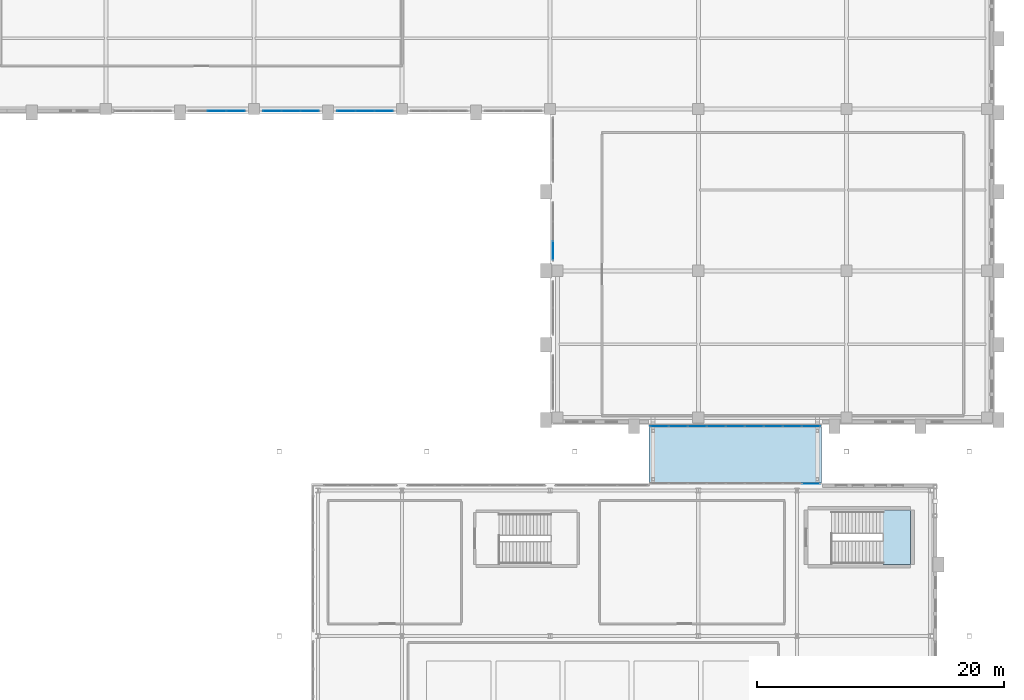
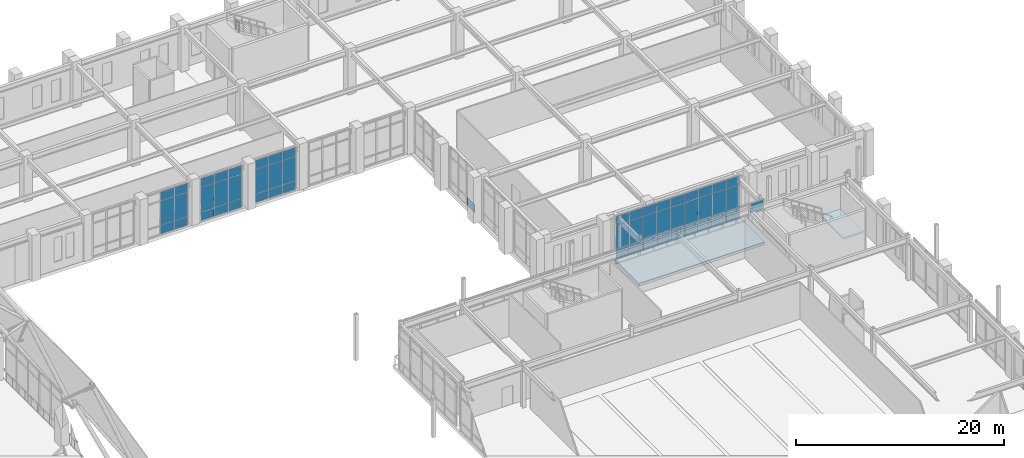
# One storey, part 117 of 159: 53 plates, 2 slabs, 7 elements without a shape of their own.
"""IFC4 building model written with IfcOpenShell, lengths in metres."""

from ifc_helpers import new_model, si_unit, derived_unit, direction, frame, origin, origin_2d, place, context, subcontext, project, spatial, polyline, rectangle, outline, extrude, material, layer, layer_set, type_object, element, aggregate, save


model = new_model("IFC4")

# Units and contexts
model_context = context("Model", 3, precision=1e-05, world=origin(), true_north=direction((0.0, 1.0)))
body_context = subcontext(model_context, "Body", "Model", "MODEL_VIEW")
ifc_project = project(units=[si_unit("LENGTHUNIT", "METRE"), si_unit("AREAUNIT", "SQUARE_METRE"), si_unit("VOLUMEUNIT", "CUBIC_METRE"), si_unit("PLANEANGLEUNIT", "RADIAN"), si_unit("MASSUNIT", "GRAM", prefix="KILO"), derived_unit("THERMALTRANSMITTANCEUNIT", [(si_unit("MASSUNIT", "GRAM", prefix="KILO"), 1), (si_unit("TIMEUNIT", "SECOND"), -3), (si_unit("THERMODYNAMICTEMPERATUREUNIT", "KELVIN"), -1)])], contexts=[model_context])

# Site, building, storey
site_placement = place(None, origin())
site = spatial("IfcSite", under=ifc_project, at=site_placement, CompositionType="ELEMENT")
building_placement = place(site_placement, origin())
building = spatial("IfcBuilding", under=site, at=building_placement, Name="Valcora Ridge Arena", CompositionType="ELEMENT")
storey_placement = place(building_placement, frame((0.0, 0.0, 6.0)))
storey = spatial("IfcBuildingStorey", under=building, at=storey_placement, Name="L01", CompositionType="ELEMENT", Elevation=6.0)

# Stair, slab
ifc_material_1 = material(Name="Concrete C40/50", Category="concrete")
stair_type = type_object("IfcStairType", Name="TY-STAIR-ST12-54", PredefinedType="HALF_TURN_STAIR", material=ifc_material_1)
stair_placement = place(storey_placement, origin())
stair = element("IfcStair", 1, at=stair_placement, inside=storey, type_object=stair_type, Name="ST12-54 STR-CR-0048", PredefinedType="HALF_TURN_STAIR")
ifc_layer_1 = layer(ifc_material_1, 0.199951171875, Name="Concrete C40/50")
ifc_layer_set_1 = layer_set([ifc_layer_1], Name="Concrete C40/50")
slab_type_1 = type_object("IfcSlabType", Name="TY-LAND-ST12-54", PredefinedType="LANDING", material=ifc_layer_set_1)
slab_1_placement = place(storey_placement, frame((0.0, 0.0, 2.5)))
slab_1 = element("IfcSlab", 2, at=slab_1_placement, type_object=slab_type_1, Name="ST12-54 landing 1", PredefinedType="LANDING", context=body_context, shape_type="SweptSolid", body=[
    extrude(outline(polyline([(182.969970703125, 71.802001953125), (185.197998046875, 71.802001953125), (185.197998046875, 76.197998046875), (182.969970703125, 76.197998046875), (182.969970703125, 71.802001953125)])), origin(), (0.0, 0.0, 1.0), 0.199951171875),
])
aggregate(stair, [slab_1])

# Curtain wall, plates
ifc_material_2 = material(Name="Anodised dark bronze architectural aluminium 6063-T6", Category="aluminium")
ifc_layer_2 = layer(ifc_material_2, 0.14990234375, Name="Anodised dark bronze architectural aluminium 6063-T6")
ifc_layer_set_2 = layer_set([ifc_layer_2], Name="Anodised dark bronze architectural aluminium 6063-T6")
curtain_wall_type_1 = type_object("IfcCurtainWallType", Name="TY-CURTAINWALL-CW-BRG-138X51", PredefinedType="NOTDEFINED", material=ifc_layer_set_2)
curtain_wall_1_placement = place(storey_placement, origin())
curtain_wall_1 = element("IfcCurtainWall", 3, at=curtain_wall_1_placement, inside=storey, type_object=curtain_wall_type_1, Name="CW-BRG-138X51 CW-0357", PredefinedType="NOTDEFINED")
ifc_material_3 = material(Name="Low-iron solar-control double glazing SHGC 0.28", Category="glass")
ifc_layer_3 = layer(ifc_material_3, 0.028076171875, Name="Low-iron solar-control double glazing SHGC 0.28")
ifc_layer_set_3 = layer_set([ifc_layer_3], Name="Low-iron solar-control double glazing SHGC 0.28")
plate_type_1 = type_object("IfcPlateType", Name="TY-PLT-CWP-1463X0975", PredefinedType="CURTAIN_PANEL", material=ifc_layer_set_3)
plate_1_placement = place(storey_placement, frame((164.861572265625, 83.0, 0.050048828125), z_axis=(0.0, 0.0, 1.0), x_axis=(1.0, 0.0, 0.0)))
plate_1 = element("IfcPlate", 4, at=plate_1_placement, type_object=plate_type_1, Name="CW-0357/P00-00", PredefinedType="CURTAIN_PANEL", context=body_context, shape_type="SweptSolid", body=[
    extrude(rectangle(XDim=1.462890625, YDim=0.028076171875, at=origin_2d()), origin(), (0.0, 0.0, 1.0), 0.97509765625),
])
plate_2_placement = place(storey_placement, frame((177.138427734375, 83.0, 0.050048828125), z_axis=(0.0, 0.0, 1.0), x_axis=(1.0, 0.0, 0.0)))
plate_2 = element("IfcPlate", 5, at=plate_2_placement, type_object=plate_type_1, Name="CW-0357/P08-00", PredefinedType="CURTAIN_PANEL", context=body_context, shape_type="SweptSolid", body=[
    extrude(rectangle(XDim=1.462890625, YDim=0.028076171875, at=origin_2d()), origin(), (0.0, 0.0, 1.0), 0.97509765625),
])

# Curtain wall, plate
curtain_wall_2_placement = place(storey_placement, origin())
curtain_wall_2 = element("IfcCurtainWall", 6, at=curtain_wall_2_placement, inside=storey, type_object=curtain_wall_type_1, Name="CW-BRG-138X51 CW-0356", PredefinedType="NOTDEFINED")
ifc_layer_4 = layer(ifc_material_3, 0.028076171875, Name="Low-iron solar-control double glazing SHGC 0.28")
ifc_layer_set_4 = layer_set([ifc_layer_4], Name="Low-iron solar-control double glazing SHGC 0.28")
plate_type_2 = type_object("IfcPlateType", Name="TY-PLT-CWP-1463X1025", PredefinedType="CURTAIN_PANEL", material=ifc_layer_set_4)
plate_3_placement = place(storey_placement, frame((177.138427734375, 78.35009765625, 4.005126953125), z_axis=(0.0, 0.0, 1.0), x_axis=(1.0, 0.0, 0.0)))
plate_3 = element("IfcPlate", 7, at=plate_3_placement, type_object=plate_type_2, Name="CW-0356/P08-02", PredefinedType="CURTAIN_PANEL", context=body_context, shape_type="SweptSolid", body=[
    extrude(rectangle(XDim=1.462890625, YDim=0.028076171875, at=origin_2d()), origin(), (0.0, 0.0, 1.0), 1.02490234375),
])
aggregate(curtain_wall_2, [plate_3])

# Plate
plate_4_placement = place(storey_placement, frame((164.861572265625, 83.0, 4.005126953125), z_axis=(0.0, 0.0, 1.0), x_axis=(1.0, 0.0, 0.0)))
plate_4 = element("IfcPlate", 8, at=plate_4_placement, type_object=plate_type_2, Name="CW-0357/P00-02", PredefinedType="CURTAIN_PANEL", context=body_context, shape_type="SweptSolid", body=[
    extrude(rectangle(XDim=1.462890625, YDim=0.028076171875, at=origin_2d()), origin(), (0.0, 0.0, 1.0), 1.02490234375),
])

plate_5_placement = place(storey_placement, frame((177.138427734375, 83.0, 4.005126953125), z_axis=(0.0, 0.0, 1.0), x_axis=(1.0, 0.0, 0.0)))
plate_5 = element("IfcPlate", 9, at=plate_5_placement, type_object=plate_type_2, Name="CW-0357/P08-02", PredefinedType="CURTAIN_PANEL", context=body_context, shape_type="SweptSolid", body=[
    extrude(rectangle(XDim=1.462890625, YDim=0.028076171875, at=origin_2d()), origin(), (0.0, 0.0, 1.0), 1.02490234375),
])

ifc_layer_5 = layer(ifc_material_3, 0.028076171875, Name="Low-iron solar-control double glazing SHGC 0.28")
ifc_layer_set_5 = layer_set([ifc_layer_5], Name="Low-iron solar-control double glazing SHGC 0.28")
plate_type_3 = type_object("IfcPlateType", Name="TY-PLT-CWP-1463X2880", PredefinedType="CURTAIN_PANEL", material=ifc_layer_set_5)
plate_6_placement = place(storey_placement, frame((164.861572265625, 83.0, 1.074951171875), z_axis=(0.0, 0.0, 1.0), x_axis=(1.0, 0.0, 0.0)))
plate_6 = element("IfcPlate", 10, at=plate_6_placement, type_object=plate_type_3, Name="CW-0357/P00-01", PredefinedType="CURTAIN_PANEL", context=body_context, shape_type="SweptSolid", body=[
    extrude(rectangle(XDim=1.462890625, YDim=0.028076171875, at=origin_2d()), origin(), (0.0, 0.0, 1.0), 2.8798828125),
])

plate_7_placement = place(storey_placement, frame((177.138427734375, 83.0, 1.074951171875), z_axis=(0.0, 0.0, 1.0), x_axis=(1.0, 0.0, 0.0)))
plate_7 = element("IfcPlate", 11, at=plate_7_placement, type_object=plate_type_3, Name="CW-0357/P08-01", PredefinedType="CURTAIN_PANEL", context=body_context, shape_type="SweptSolid", body=[
    extrude(rectangle(XDim=1.462890625, YDim=0.028076171875, at=origin_2d()), origin(), (0.0, 0.0, 1.0), 2.8798828125),
])

# Curtain wall, plate
ifc_layer_6 = layer(ifc_material_2, 0.14990234375, Name="Anodised dark bronze architectural aluminium 6063-T6")
ifc_layer_set_6 = layer_set([ifc_layer_6], Name="Anodised dark bronze architectural aluminium 6063-T6")
curtain_wall_type_2 = type_object("IfcCurtainWallType", Name="TY-CURTAINWALL-CW-V5-MED-046X50", PredefinedType="NOTDEFINED", material=ifc_layer_set_6)
curtain_wall_3_placement = place(storey_placement, origin())
curtain_wall_3 = element("IfcCurtainWall", 12, at=curtain_wall_3_placement, inside=storey, type_object=curtain_wall_type_2, Name="CW-V5-MED-046X50 CW-0317", PredefinedType="NOTDEFINED")
ifc_layer_7 = layer(ifc_material_3, 0.028076171875, Name="Low-iron solar-control double glazing SHGC 0.28")
ifc_layer_set_7 = layer_set([ifc_layer_7], Name="Low-iron solar-control double glazing SHGC 0.28")
plate_type_4 = type_object("IfcPlateType", Name="TY-PLT-CWP-1465X0975", PredefinedType="CURTAIN_PANEL", material=ifc_layer_set_7)
plate_8_placement = place(storey_placement, frame((130.527587890625, 108.550048828125, 0.050048828125), z_axis=(0.0, 0.0, 1.0), x_axis=(1.0, 0.0, 0.0)))
plate_8 = element("IfcPlate", 13, at=plate_8_placement, type_object=plate_type_4, Name="CW-0317/P02-00", PredefinedType="CURTAIN_PANEL", context=body_context, shape_type="SweptSolid", body=[
    extrude(rectangle(XDim=1.465087890625, YDim=0.028076171875, at=origin_2d()), origin(), (0.0, 0.0, 1.0), 0.97509765625),
])

# Curtain wall, plates
curtain_wall_4_placement = place(storey_placement, origin())
curtain_wall_4 = element("IfcCurtainWall", 14, at=curtain_wall_4_placement, inside=storey, type_object=curtain_wall_type_2, Name="CW-V5-MED-046X50 CW-0318", PredefinedType="NOTDEFINED")
plate_9_placement = place(storey_placement, frame((133.472412109375, 108.550048828125, 0.050048828125), z_axis=(0.0, 0.0, 1.0), x_axis=(1.0, 0.0, 0.0)))
plate_9 = element("IfcPlate", 15, at=plate_9_placement, type_object=plate_type_4, Name="CW-0318/P00-00", PredefinedType="CURTAIN_PANEL", context=body_context, shape_type="SweptSolid", body=[
    extrude(rectangle(XDim=1.465087890625, YDim=0.028076171875, at=origin_2d()), origin(), (0.0, 0.0, 1.0), 0.97509765625),
])
plate_10_placement = place(storey_placement, frame((136.527587890625, 108.550048828125, 0.050048828125), z_axis=(0.0, 0.0, 1.0), x_axis=(1.0, 0.0, 0.0)))
plate_10 = element("IfcPlate", 16, at=plate_10_placement, type_object=plate_type_4, Name="CW-0318/P02-00", PredefinedType="CURTAIN_PANEL", context=body_context, shape_type="SweptSolid", body=[
    extrude(rectangle(XDim=1.465087890625, YDim=0.028076171875, at=origin_2d()), origin(), (0.0, 0.0, 1.0), 0.97509765625),
])

curtain_wall_5_placement = place(storey_placement, origin())
curtain_wall_5 = element("IfcCurtainWall", 17, at=curtain_wall_5_placement, inside=storey, type_object=curtain_wall_type_2, Name="CW-V5-MED-046X50 CW-0319", PredefinedType="NOTDEFINED")
plate_11_placement = place(storey_placement, frame((139.472412109375, 108.550048828125, 0.050048828125), z_axis=(0.0, 0.0, 1.0), x_axis=(1.0, 0.0, 0.0)))
plate_11 = element("IfcPlate", 18, at=plate_11_placement, type_object=plate_type_4, Name="CW-0319/P00-00", PredefinedType="CURTAIN_PANEL", context=body_context, shape_type="SweptSolid", body=[
    extrude(rectangle(XDim=1.465087890625, YDim=0.028076171875, at=origin_2d()), origin(), (0.0, 0.0, 1.0), 0.97509765625),
])
plate_12_placement = place(storey_placement, frame((142.527587890625, 108.550048828125, 0.050048828125), z_axis=(0.0, 0.0, 1.0), x_axis=(1.0, 0.0, 0.0)))
plate_12 = element("IfcPlate", 19, at=plate_12_placement, type_object=plate_type_4, Name="CW-0319/P02-00", PredefinedType="CURTAIN_PANEL", context=body_context, shape_type="SweptSolid", body=[
    extrude(rectangle(XDim=1.465087890625, YDim=0.028076171875, at=origin_2d()), origin(), (0.0, 0.0, 1.0), 0.97509765625),
])

# Plate
ifc_layer_8 = layer(ifc_material_3, 0.028076171875, Name="Low-iron solar-control double glazing SHGC 0.28")
ifc_layer_set_8 = layer_set([ifc_layer_8], Name="Low-iron solar-control double glazing SHGC 0.28")
plate_type_5 = type_object("IfcPlateType", Name="TY-PLT-CWP-1465X1025", PredefinedType="CURTAIN_PANEL", material=ifc_layer_set_8)
plate_13_placement = place(storey_placement, frame((130.527587890625, 108.550048828125, 3.965087890625), z_axis=(0.0, 0.0, 1.0), x_axis=(1.0, 0.0, 0.0)))
plate_13 = element("IfcPlate", 20, at=plate_13_placement, type_object=plate_type_5, Name="CW-0317/P02-02", PredefinedType="CURTAIN_PANEL", context=body_context, shape_type="SweptSolid", body=[
    extrude(rectangle(XDim=1.465087890625, YDim=0.028076171875, at=origin_2d()), origin(), (0.0, 0.0, 1.0), 1.02490234375),
])

plate_14_placement = place(storey_placement, frame((133.472412109375, 108.550048828125, 3.965087890625), z_axis=(0.0, 0.0, 1.0), x_axis=(1.0, 0.0, 0.0)))
plate_14 = element("IfcPlate", 21, at=plate_14_placement, type_object=plate_type_5, Name="CW-0318/P00-02", PredefinedType="CURTAIN_PANEL", context=body_context, shape_type="SweptSolid", body=[
    extrude(rectangle(XDim=1.465087890625, YDim=0.028076171875, at=origin_2d()), origin(), (0.0, 0.0, 1.0), 1.02490234375),
])

plate_15_placement = place(storey_placement, frame((136.527587890625, 108.550048828125, 3.965087890625), z_axis=(0.0, 0.0, 1.0), x_axis=(1.0, 0.0, 0.0)))
plate_15 = element("IfcPlate", 22, at=plate_15_placement, type_object=plate_type_5, Name="CW-0318/P02-02", PredefinedType="CURTAIN_PANEL", context=body_context, shape_type="SweptSolid", body=[
    extrude(rectangle(XDim=1.465087890625, YDim=0.028076171875, at=origin_2d()), origin(), (0.0, 0.0, 1.0), 1.02490234375),
])

plate_16_placement = place(storey_placement, frame((139.472412109375, 108.550048828125, 3.965087890625), z_axis=(0.0, 0.0, 1.0), x_axis=(1.0, 0.0, 0.0)))
plate_16 = element("IfcPlate", 23, at=plate_16_placement, type_object=plate_type_5, Name="CW-0319/P00-02", PredefinedType="CURTAIN_PANEL", context=body_context, shape_type="SweptSolid", body=[
    extrude(rectangle(XDim=1.465087890625, YDim=0.028076171875, at=origin_2d()), origin(), (0.0, 0.0, 1.0), 1.02490234375),
])

plate_17_placement = place(storey_placement, frame((142.527587890625, 108.550048828125, 3.965087890625), z_axis=(0.0, 0.0, 1.0), x_axis=(1.0, 0.0, 0.0)))
plate_17 = element("IfcPlate", 24, at=plate_17_placement, type_object=plate_type_5, Name="CW-0319/P02-02", PredefinedType="CURTAIN_PANEL", context=body_context, shape_type="SweptSolid", body=[
    extrude(rectangle(XDim=1.465087890625, YDim=0.028076171875, at=origin_2d()), origin(), (0.0, 0.0, 1.0), 1.02490234375),
])

ifc_layer_9 = layer(ifc_material_3, 0.028076171875, Name="Low-iron solar-control double glazing SHGC 0.28")
ifc_layer_set_9 = layer_set([ifc_layer_9], Name="Low-iron solar-control double glazing SHGC 0.28")
plate_type_6 = type_object("IfcPlateType", Name="TY-PLT-CWP-1465X2840", PredefinedType="CURTAIN_PANEL", material=ifc_layer_set_9)
plate_18_placement = place(storey_placement, frame((130.527587890625, 108.550048828125, 1.0751953125), z_axis=(0.0, 0.0, 1.0), x_axis=(1.0, 0.0, 0.0)))
plate_18 = element("IfcPlate", 25, at=plate_18_placement, type_object=plate_type_6, Name="CW-0317/P02-01", PredefinedType="CURTAIN_PANEL", context=body_context, shape_type="SweptSolid", body=[
    extrude(rectangle(XDim=1.465087890625, YDim=0.028076171875, at=origin_2d()), origin(), (0.0, 0.0, 1.0), 2.840087890625),
])

plate_19_placement = place(storey_placement, frame((133.472412109375, 108.550048828125, 1.0751953125), z_axis=(0.0, 0.0, 1.0), x_axis=(1.0, 0.0, 0.0)))
plate_19 = element("IfcPlate", 26, at=plate_19_placement, type_object=plate_type_6, Name="CW-0318/P00-01", PredefinedType="CURTAIN_PANEL", context=body_context, shape_type="SweptSolid", body=[
    extrude(rectangle(XDim=1.465087890625, YDim=0.028076171875, at=origin_2d()), origin(), (0.0, 0.0, 1.0), 2.840087890625),
])

plate_20_placement = place(storey_placement, frame((136.527587890625, 108.550048828125, 1.0751953125), z_axis=(0.0, 0.0, 1.0), x_axis=(1.0, 0.0, 0.0)))
plate_20 = element("IfcPlate", 27, at=plate_20_placement, type_object=plate_type_6, Name="CW-0318/P02-01", PredefinedType="CURTAIN_PANEL", context=body_context, shape_type="SweptSolid", body=[
    extrude(rectangle(XDim=1.465087890625, YDim=0.028076171875, at=origin_2d()), origin(), (0.0, 0.0, 1.0), 2.840087890625),
])

plate_21_placement = place(storey_placement, frame((139.472412109375, 108.550048828125, 1.0751953125), z_axis=(0.0, 0.0, 1.0), x_axis=(1.0, 0.0, 0.0)))
plate_21 = element("IfcPlate", 28, at=plate_21_placement, type_object=plate_type_6, Name="CW-0319/P00-01", PredefinedType="CURTAIN_PANEL", context=body_context, shape_type="SweptSolid", body=[
    extrude(rectangle(XDim=1.465087890625, YDim=0.028076171875, at=origin_2d()), origin(), (0.0, 0.0, 1.0), 2.840087890625),
])

plate_22_placement = place(storey_placement, frame((142.527587890625, 108.550048828125, 1.0751953125), z_axis=(0.0, 0.0, 1.0), x_axis=(1.0, 0.0, 0.0)))
plate_22 = element("IfcPlate", 29, at=plate_22_placement, type_object=plate_type_6, Name="CW-0319/P02-01", PredefinedType="CURTAIN_PANEL", context=body_context, shape_type="SweptSolid", body=[
    extrude(rectangle(XDim=1.465087890625, YDim=0.028076171875, at=origin_2d()), origin(), (0.0, 0.0, 1.0), 2.840087890625),
])

ifc_layer_10 = layer(ifc_material_3, 0.028076171875, Name="Low-iron solar-control double glazing SHGC 0.28")
ifc_layer_set_10 = layer_set([ifc_layer_10], Name="Low-iron solar-control double glazing SHGC 0.28")
plate_type_7 = type_object("IfcPlateType", Name="TY-PLT-CWP-1487X0975", PredefinedType="CURTAIN_PANEL", material=ifc_layer_set_10)
plate_23_placement = place(storey_placement, frame((167.924560546875, 83.0, 0.050048828125), z_axis=(0.0, 0.0, 1.0), x_axis=(1.0, 0.0, 0.0)))
plate_23 = element("IfcPlate", 30, at=plate_23_placement, type_object=plate_type_7, Name="CW-0357/P02-00", PredefinedType="CURTAIN_PANEL", context=body_context, shape_type="SweptSolid", body=[
    extrude(rectangle(XDim=1.487060546875, YDim=0.028076171875, at=origin_2d()), origin(), (0.0, 0.0, 1.0), 0.97509765625),
])

plate_24_placement = place(storey_placement, frame((174.075439453125, 83.0, 0.050048828125), z_axis=(0.0, 0.0, 1.0), x_axis=(1.0, 0.0, 0.0)))
plate_24 = element("IfcPlate", 31, at=plate_24_placement, type_object=plate_type_7, Name="CW-0357/P06-00", PredefinedType="CURTAIN_PANEL", context=body_context, shape_type="SweptSolid", body=[
    extrude(rectangle(XDim=1.487060546875, YDim=0.028076171875, at=origin_2d()), origin(), (0.0, 0.0, 1.0), 0.97509765625),
])

ifc_layer_11 = layer(ifc_material_3, 0.028076171875, Name="Low-iron solar-control double glazing SHGC 0.28")
ifc_layer_set_11 = layer_set([ifc_layer_11], Name="Low-iron solar-control double glazing SHGC 0.28")
plate_type_8 = type_object("IfcPlateType", Name="TY-PLT-CWP-1487X1025", PredefinedType="CURTAIN_PANEL", material=ifc_layer_set_11)
plate_25_placement = place(storey_placement, frame((167.924560546875, 83.0, 4.005126953125), z_axis=(0.0, 0.0, 1.0), x_axis=(1.0, 0.0, 0.0)))
plate_25 = element("IfcPlate", 32, at=plate_25_placement, type_object=plate_type_8, Name="CW-0357/P02-02", PredefinedType="CURTAIN_PANEL", context=body_context, shape_type="SweptSolid", body=[
    extrude(rectangle(XDim=1.487060546875, YDim=0.028076171875, at=origin_2d()), origin(), (0.0, 0.0, 1.0), 1.02490234375),
])

plate_26_placement = place(storey_placement, frame((174.075439453125, 83.0, 4.005126953125), z_axis=(0.0, 0.0, 1.0), x_axis=(1.0, 0.0, 0.0)))
plate_26 = element("IfcPlate", 33, at=plate_26_placement, type_object=plate_type_8, Name="CW-0357/P06-02", PredefinedType="CURTAIN_PANEL", context=body_context, shape_type="SweptSolid", body=[
    extrude(rectangle(XDim=1.487060546875, YDim=0.028076171875, at=origin_2d()), origin(), (0.0, 0.0, 1.0), 1.02490234375),
])

ifc_layer_12 = layer(ifc_material_3, 0.028076171875, Name="Low-iron solar-control double glazing SHGC 0.28")
ifc_layer_set_12 = layer_set([ifc_layer_12], Name="Low-iron solar-control double glazing SHGC 0.28")
plate_type_9 = type_object("IfcPlateType", Name="TY-PLT-CWP-1487X2880", PredefinedType="CURTAIN_PANEL", material=ifc_layer_set_12)
plate_27_placement = place(storey_placement, frame((167.924560546875, 83.0, 1.074951171875), z_axis=(0.0, 0.0, 1.0), x_axis=(1.0, 0.0, 0.0)))
plate_27 = element("IfcPlate", 34, at=plate_27_placement, type_object=plate_type_9, Name="CW-0357/P02-01", PredefinedType="CURTAIN_PANEL", context=body_context, shape_type="SweptSolid", body=[
    extrude(rectangle(XDim=1.487060546875, YDim=0.028076171875, at=origin_2d()), origin(), (0.0, 0.0, 1.0), 2.8798828125),
])

plate_28_placement = place(storey_placement, frame((174.075439453125, 83.0, 1.074951171875), z_axis=(0.0, 0.0, 1.0), x_axis=(1.0, 0.0, 0.0)))
plate_28 = element("IfcPlate", 35, at=plate_28_placement, type_object=plate_type_9, Name="CW-0357/P06-01", PredefinedType="CURTAIN_PANEL", context=body_context, shape_type="SweptSolid", body=[
    extrude(rectangle(XDim=1.487060546875, YDim=0.028076171875, at=origin_2d()), origin(), (0.0, 0.0, 1.0), 2.8798828125),
])

ifc_layer_13 = layer(ifc_material_3, 0.028076171875, Name="Low-iron solar-control double glazing SHGC 0.28")
ifc_layer_set_13 = layer_set([ifc_layer_13], Name="Low-iron solar-control double glazing SHGC 0.28")
plate_type_10 = type_object("IfcPlateType", Name="TY-PLT-CWP-1488X0975", PredefinedType="CURTAIN_PANEL", material=ifc_layer_set_13)
plate_29_placement = place(storey_placement, frame((166.386962890625, 83.0, 0.050048828125), z_axis=(0.0, 0.0, 1.0), x_axis=(1.0, 0.0, 0.0)))
plate_29 = element("IfcPlate", 36, at=plate_29_placement, type_object=plate_type_10, Name="CW-0357/P01-00", PredefinedType="CURTAIN_PANEL", context=body_context, shape_type="SweptSolid", body=[
    extrude(rectangle(XDim=1.488037109375, YDim=0.028076171875, at=origin_2d()), origin(), (0.0, 0.0, 1.0), 0.97509765625),
])

plate_30_placement = place(storey_placement, frame((169.4619140625, 83.0, 0.050048828125), z_axis=(0.0, 0.0, 1.0), x_axis=(1.0, 0.0, 0.0)))
plate_30 = element("IfcPlate", 37, at=plate_30_placement, type_object=plate_type_10, Name="CW-0357/P03-00", PredefinedType="CURTAIN_PANEL", context=body_context, shape_type="SweptSolid", body=[
    extrude(rectangle(XDim=1.488037109375, YDim=0.028076171875, at=origin_2d()), origin(), (0.0, 0.0, 1.0), 0.97509765625),
])

plate_31_placement = place(storey_placement, frame((171.0, 83.0, 0.050048828125), z_axis=(0.0, 0.0, 1.0), x_axis=(1.0, 0.0, 0.0)))
plate_31 = element("IfcPlate", 38, at=plate_31_placement, type_object=plate_type_10, Name="CW-0357/P04-00", PredefinedType="CURTAIN_PANEL", context=body_context, shape_type="SweptSolid", body=[
    extrude(rectangle(XDim=1.488037109375, YDim=0.028076171875, at=origin_2d()), origin(), (0.0, 0.0, 1.0), 0.97509765625),
])

plate_32_placement = place(storey_placement, frame((172.5380859375, 83.0, 0.050048828125), z_axis=(0.0, 0.0, 1.0), x_axis=(1.0, 0.0, 0.0)))
plate_32 = element("IfcPlate", 39, at=plate_32_placement, type_object=plate_type_10, Name="CW-0357/P05-00", PredefinedType="CURTAIN_PANEL", context=body_context, shape_type="SweptSolid", body=[
    extrude(rectangle(XDim=1.488037109375, YDim=0.028076171875, at=origin_2d()), origin(), (0.0, 0.0, 1.0), 0.97509765625),
])

plate_33_placement = place(storey_placement, frame((175.613037109375, 83.0, 0.050048828125), z_axis=(0.0, 0.0, 1.0), x_axis=(1.0, 0.0, 0.0)))
plate_33 = element("IfcPlate", 40, at=plate_33_placement, type_object=plate_type_10, Name="CW-0357/P07-00", PredefinedType="CURTAIN_PANEL", context=body_context, shape_type="SweptSolid", body=[
    extrude(rectangle(XDim=1.488037109375, YDim=0.028076171875, at=origin_2d()), origin(), (0.0, 0.0, 1.0), 0.97509765625),
])

ifc_layer_14 = layer(ifc_material_3, 0.028076171875, Name="Low-iron solar-control double glazing SHGC 0.28")
ifc_layer_set_14 = layer_set([ifc_layer_14], Name="Low-iron solar-control double glazing SHGC 0.28")
plate_type_11 = type_object("IfcPlateType", Name="TY-PLT-CWP-1488X1025", PredefinedType="CURTAIN_PANEL", material=ifc_layer_set_14)
plate_34_placement = place(storey_placement, frame((166.386962890625, 83.0, 4.005126953125), z_axis=(0.0, 0.0, 1.0), x_axis=(1.0, 0.0, 0.0)))
plate_34 = element("IfcPlate", 41, at=plate_34_placement, type_object=plate_type_11, Name="CW-0357/P01-02", PredefinedType="CURTAIN_PANEL", context=body_context, shape_type="SweptSolid", body=[
    extrude(rectangle(XDim=1.488037109375, YDim=0.028076171875, at=origin_2d()), origin(), (0.0, 0.0, 1.0), 1.02490234375),
])

plate_35_placement = place(storey_placement, frame((169.4619140625, 83.0, 4.005126953125), z_axis=(0.0, 0.0, 1.0), x_axis=(1.0, 0.0, 0.0)))
plate_35 = element("IfcPlate", 42, at=plate_35_placement, type_object=plate_type_11, Name="CW-0357/P03-02", PredefinedType="CURTAIN_PANEL", context=body_context, shape_type="SweptSolid", body=[
    extrude(rectangle(XDim=1.488037109375, YDim=0.028076171875, at=origin_2d()), origin(), (0.0, 0.0, 1.0), 1.02490234375),
])

plate_36_placement = place(storey_placement, frame((171.0, 83.0, 4.005126953125), z_axis=(0.0, 0.0, 1.0), x_axis=(1.0, 0.0, 0.0)))
plate_36 = element("IfcPlate", 43, at=plate_36_placement, type_object=plate_type_11, Name="CW-0357/P04-02", PredefinedType="CURTAIN_PANEL", context=body_context, shape_type="SweptSolid", body=[
    extrude(rectangle(XDim=1.488037109375, YDim=0.028076171875, at=origin_2d()), origin(), (0.0, 0.0, 1.0), 1.02490234375),
])

plate_37_placement = place(storey_placement, frame((172.5380859375, 83.0, 4.005126953125), z_axis=(0.0, 0.0, 1.0), x_axis=(1.0, 0.0, 0.0)))
plate_37 = element("IfcPlate", 44, at=plate_37_placement, type_object=plate_type_11, Name="CW-0357/P05-02", PredefinedType="CURTAIN_PANEL", context=body_context, shape_type="SweptSolid", body=[
    extrude(rectangle(XDim=1.488037109375, YDim=0.028076171875, at=origin_2d()), origin(), (0.0, 0.0, 1.0), 1.02490234375),
])

plate_38_placement = place(storey_placement, frame((175.613037109375, 83.0, 4.005126953125), z_axis=(0.0, 0.0, 1.0), x_axis=(1.0, 0.0, 0.0)))
plate_38 = element("IfcPlate", 45, at=plate_38_placement, type_object=plate_type_11, Name="CW-0357/P07-02", PredefinedType="CURTAIN_PANEL", context=body_context, shape_type="SweptSolid", body=[
    extrude(rectangle(XDim=1.488037109375, YDim=0.028076171875, at=origin_2d()), origin(), (0.0, 0.0, 1.0), 1.02490234375),
])

ifc_layer_15 = layer(ifc_material_3, 0.028076171875, Name="Low-iron solar-control double glazing SHGC 0.28")
ifc_layer_set_15 = layer_set([ifc_layer_15], Name="Low-iron solar-control double glazing SHGC 0.28")
plate_type_12 = type_object("IfcPlateType", Name="TY-PLT-CWP-1488X2880", PredefinedType="CURTAIN_PANEL", material=ifc_layer_set_15)
plate_39_placement = place(storey_placement, frame((166.386962890625, 83.0, 1.074951171875), z_axis=(0.0, 0.0, 1.0), x_axis=(1.0, 0.0, 0.0)))
plate_39 = element("IfcPlate", 46, at=plate_39_placement, type_object=plate_type_12, Name="CW-0357/P01-01", PredefinedType="CURTAIN_PANEL", context=body_context, shape_type="SweptSolid", body=[
    extrude(rectangle(XDim=1.488037109375, YDim=0.028076171875, at=origin_2d()), origin(), (0.0, 0.0, 1.0), 2.8798828125),
])

plate_40_placement = place(storey_placement, frame((169.4619140625, 83.0, 1.074951171875), z_axis=(0.0, 0.0, 1.0), x_axis=(1.0, 0.0, 0.0)))
plate_40 = element("IfcPlate", 47, at=plate_40_placement, type_object=plate_type_12, Name="CW-0357/P03-01", PredefinedType="CURTAIN_PANEL", context=body_context, shape_type="SweptSolid", body=[
    extrude(rectangle(XDim=1.488037109375, YDim=0.028076171875, at=origin_2d()), origin(), (0.0, 0.0, 1.0), 2.8798828125),
])

plate_41_placement = place(storey_placement, frame((171.0, 83.0, 1.074951171875), z_axis=(0.0, 0.0, 1.0), x_axis=(1.0, 0.0, 0.0)))
plate_41 = element("IfcPlate", 48, at=plate_41_placement, type_object=plate_type_12, Name="CW-0357/P04-01", PredefinedType="CURTAIN_PANEL", context=body_context, shape_type="SweptSolid", body=[
    extrude(rectangle(XDim=1.488037109375, YDim=0.028076171875, at=origin_2d()), origin(), (0.0, 0.0, 1.0), 2.8798828125),
])

plate_42_placement = place(storey_placement, frame((172.5380859375, 83.0, 1.074951171875), z_axis=(0.0, 0.0, 1.0), x_axis=(1.0, 0.0, 0.0)))
plate_42 = element("IfcPlate", 49, at=plate_42_placement, type_object=plate_type_12, Name="CW-0357/P05-01", PredefinedType="CURTAIN_PANEL", context=body_context, shape_type="SweptSolid", body=[
    extrude(rectangle(XDim=1.488037109375, YDim=0.028076171875, at=origin_2d()), origin(), (0.0, 0.0, 1.0), 2.8798828125),
])

plate_43_placement = place(storey_placement, frame((175.613037109375, 83.0, 1.074951171875), z_axis=(0.0, 0.0, 1.0), x_axis=(1.0, 0.0, 0.0)))
plate_43 = element("IfcPlate", 50, at=plate_43_placement, type_object=plate_type_12, Name="CW-0357/P07-01", PredefinedType="CURTAIN_PANEL", context=body_context, shape_type="SweptSolid", body=[
    extrude(rectangle(XDim=1.488037109375, YDim=0.028076171875, at=origin_2d()), origin(), (0.0, 0.0, 1.0), 2.8798828125),
])

aggregate(curtain_wall_1, [plate_1, plate_6, plate_4, plate_29, plate_39, plate_34, plate_23, plate_27, plate_25, plate_30, plate_40, plate_35, plate_31, plate_41, plate_36, plate_32, plate_42, plate_37, plate_24, plate_28, plate_26, plate_33, plate_43, plate_38, plate_2, plate_7, plate_5])

ifc_layer_16 = layer(ifc_material_3, 0.028076171875, Name="Low-iron solar-control double glazing SHGC 0.28")
ifc_layer_set_16 = layer_set([ifc_layer_16], Name="Low-iron solar-control double glazing SHGC 0.28")
plate_type_13 = type_object("IfcPlateType", Name="TY-PLT-CWP-1490X0975", PredefinedType="CURTAIN_PANEL", material=ifc_layer_set_16)
plate_44_placement = place(storey_placement, frame((129.0, 108.550048828125, 0.050048828125), z_axis=(0.0, 0.0, 1.0), x_axis=(1.0, 0.0, 0.0)))
plate_44 = element("IfcPlate", 51, at=plate_44_placement, type_object=plate_type_13, Name="CW-0317/P01-00", PredefinedType="CURTAIN_PANEL", context=body_context, shape_type="SweptSolid", body=[
    extrude(rectangle(XDim=1.489990234375, YDim=0.028076171875, at=origin_2d()), origin(), (0.0, 0.0, 1.0), 0.97509765625),
])

plate_45_placement = place(storey_placement, frame((135.0, 108.550048828125, 0.050048828125), z_axis=(0.0, 0.0, 1.0), x_axis=(1.0, 0.0, 0.0)))
plate_45 = element("IfcPlate", 52, at=plate_45_placement, type_object=plate_type_13, Name="CW-0318/P01-00", PredefinedType="CURTAIN_PANEL", context=body_context, shape_type="SweptSolid", body=[
    extrude(rectangle(XDim=1.489990234375, YDim=0.028076171875, at=origin_2d()), origin(), (0.0, 0.0, 1.0), 0.97509765625),
])

plate_46_placement = place(storey_placement, frame((141.0, 108.550048828125, 0.050048828125), z_axis=(0.0, 0.0, 1.0), x_axis=(1.0, 0.0, 0.0)))
plate_46 = element("IfcPlate", 53, at=plate_46_placement, type_object=plate_type_13, Name="CW-0319/P01-00", PredefinedType="CURTAIN_PANEL", context=body_context, shape_type="SweptSolid", body=[
    extrude(rectangle(XDim=1.489990234375, YDim=0.028076171875, at=origin_2d()), origin(), (0.0, 0.0, 1.0), 0.97509765625),
])

ifc_layer_17 = layer(ifc_material_3, 0.028076171875, Name="Low-iron solar-control double glazing SHGC 0.28")
ifc_layer_set_17 = layer_set([ifc_layer_17], Name="Low-iron solar-control double glazing SHGC 0.28")
plate_type_14 = type_object("IfcPlateType", Name="TY-PLT-CWP-1490X1025", PredefinedType="CURTAIN_PANEL", material=ifc_layer_set_17)
plate_47_placement = place(storey_placement, frame((129.0, 108.550048828125, 3.965087890625), z_axis=(0.0, 0.0, 1.0), x_axis=(1.0, 0.0, 0.0)))
plate_47 = element("IfcPlate", 54, at=plate_47_placement, type_object=plate_type_14, Name="CW-0317/P01-02", PredefinedType="CURTAIN_PANEL", context=body_context, shape_type="SweptSolid", body=[
    extrude(rectangle(XDim=1.489990234375, YDim=0.028076171875, at=origin_2d()), origin(), (0.0, 0.0, 1.0), 1.02490234375),
])

plate_48_placement = place(storey_placement, frame((135.0, 108.550048828125, 3.965087890625), z_axis=(0.0, 0.0, 1.0), x_axis=(1.0, 0.0, 0.0)))
plate_48 = element("IfcPlate", 55, at=plate_48_placement, type_object=plate_type_14, Name="CW-0318/P01-02", PredefinedType="CURTAIN_PANEL", context=body_context, shape_type="SweptSolid", body=[
    extrude(rectangle(XDim=1.489990234375, YDim=0.028076171875, at=origin_2d()), origin(), (0.0, 0.0, 1.0), 1.02490234375),
])

plate_49_placement = place(storey_placement, frame((141.0, 108.550048828125, 3.965087890625), z_axis=(0.0, 0.0, 1.0), x_axis=(1.0, 0.0, 0.0)))
plate_49 = element("IfcPlate", 56, at=plate_49_placement, type_object=plate_type_14, Name="CW-0319/P01-02", PredefinedType="CURTAIN_PANEL", context=body_context, shape_type="SweptSolid", body=[
    extrude(rectangle(XDim=1.489990234375, YDim=0.028076171875, at=origin_2d()), origin(), (0.0, 0.0, 1.0), 1.02490234375),
])

ifc_layer_18 = layer(ifc_material_3, 0.028076171875, Name="Low-iron solar-control double glazing SHGC 0.28")
ifc_layer_set_18 = layer_set([ifc_layer_18], Name="Low-iron solar-control double glazing SHGC 0.28")
plate_type_15 = type_object("IfcPlateType", Name="TY-PLT-CWP-1490X2840", PredefinedType="CURTAIN_PANEL", material=ifc_layer_set_18)
plate_50_placement = place(storey_placement, frame((129.0, 108.550048828125, 1.0751953125), z_axis=(0.0, 0.0, 1.0), x_axis=(1.0, 0.0, 0.0)))
plate_50 = element("IfcPlate", 57, at=plate_50_placement, type_object=plate_type_15, Name="CW-0317/P01-01", PredefinedType="CURTAIN_PANEL", context=body_context, shape_type="SweptSolid", body=[
    extrude(rectangle(XDim=1.489990234375, YDim=0.028076171875, at=origin_2d()), origin(), (0.0, 0.0, 1.0), 2.840087890625),
])

aggregate(curtain_wall_3, [plate_44, plate_50, plate_47, plate_8, plate_18, plate_13])

plate_51_placement = place(storey_placement, frame((135.0, 108.550048828125, 1.0751953125), z_axis=(0.0, 0.0, 1.0), x_axis=(1.0, 0.0, 0.0)))
plate_51 = element("IfcPlate", 58, at=plate_51_placement, type_object=plate_type_15, Name="CW-0318/P01-01", PredefinedType="CURTAIN_PANEL", context=body_context, shape_type="SweptSolid", body=[
    extrude(rectangle(XDim=1.489990234375, YDim=0.028076171875, at=origin_2d()), origin(), (0.0, 0.0, 1.0), 2.840087890625),
])

aggregate(curtain_wall_4, [plate_9, plate_19, plate_14, plate_45, plate_51, plate_48, plate_10, plate_20, plate_15])

plate_52_placement = place(storey_placement, frame((141.0, 108.550048828125, 1.0751953125), z_axis=(0.0, 0.0, 1.0), x_axis=(1.0, 0.0, 0.0)))
plate_52 = element("IfcPlate", 59, at=plate_52_placement, type_object=plate_type_15, Name="CW-0319/P01-01", PredefinedType="CURTAIN_PANEL", context=body_context, shape_type="SweptSolid", body=[
    extrude(rectangle(XDim=1.489990234375, YDim=0.028076171875, at=origin_2d()), origin(), (0.0, 0.0, 1.0), 2.840087890625),
])

aggregate(curtain_wall_5, [plate_11, plate_21, plate_16, plate_46, plate_52, plate_49, plate_12, plate_22, plate_17])

# Curtain wall, plate
ifc_layer_19 = layer(ifc_material_2, 0.14990234375, Name="Anodised dark bronze architectural aluminium 6063-T6")
ifc_layer_set_19 = layer_set([ifc_layer_19], Name="Anodised dark bronze architectural aluminium 6063-T6")
curtain_wall_type_3 = type_object("IfcCurtainWallType", Name="TY-CURTAINWALL-CW-V5-MED-047X50", PredefinedType="NOTDEFINED", material=ifc_layer_set_19)
curtain_wall_6_placement = place(storey_placement, origin())
curtain_wall_6 = element("IfcCurtainWall", 60, at=curtain_wall_6_placement, inside=storey, type_object=curtain_wall_type_3, Name="CW-V5-MED-047X50 CW-0324", PredefinedType="NOTDEFINED")
ifc_layer_20 = layer(ifc_material_3, 0.028076171875, Name="Low-iron solar-control double glazing SHGC 0.28")
ifc_layer_set_20 = layer_set([ifc_layer_20], Name="Low-iron solar-control double glazing SHGC 0.28")
plate_type_16 = type_object("IfcPlateType", Name="TY-PLT-CWP-1498X0975", PredefinedType="CURTAIN_PANEL", material=ifc_layer_set_20)
plate_53_placement = place(storey_placement, frame((156.219970703125, 97.239013671875, 0.050048828125), z_axis=(0.0, 0.0, 1.0), x_axis=(0.0, 1.0, 0.0)))
plate_53 = element("IfcPlate", 61, at=plate_53_placement, type_object=plate_type_16, Name="CW-0324/P00-00", PredefinedType="CURTAIN_PANEL", context=body_context, shape_type="SweptSolid", body=[
    extrude(rectangle(XDim=1.498046875, YDim=0.028076171875, at=origin_2d()), origin(), (0.0, 0.0, 1.0), 0.97509765625),
])
aggregate(curtain_wall_6, [plate_53])

# Slab
ifc_layer_21 = layer(ifc_material_1, 0.320068359375, Name="Concrete C40/50")
ifc_layer_set_21 = layer_set([ifc_layer_21], Name="Concrete C40/50")
slab_type_2 = type_object("IfcSlabType", Name="TY-SLAB-SL-BRG-SJ5-L01", PredefinedType="FLOOR", material=ifc_layer_set_21)
slab_2_placement = place(storey_placement, frame((0.0, 0.0, -0.320068359375)))
element("IfcSlab", 62, at=slab_2_placement, inside=storey, type_object=slab_type_2, Name="SL-BRG-SJ5-L01 SLB-0086", PredefinedType="FLOOR", context=body_context, shape_type="SweptSolid", body=[
    extrude(outline(polyline([(178.0, 78.35009765625), (178.0, 83.0), (164.0, 83.0), (164.0, 78.35009765625), (178.0, 78.35009765625)])), origin(), (0.0, 0.0, 1.0), 0.320068359375),
])

save(model, "model.ifc")
